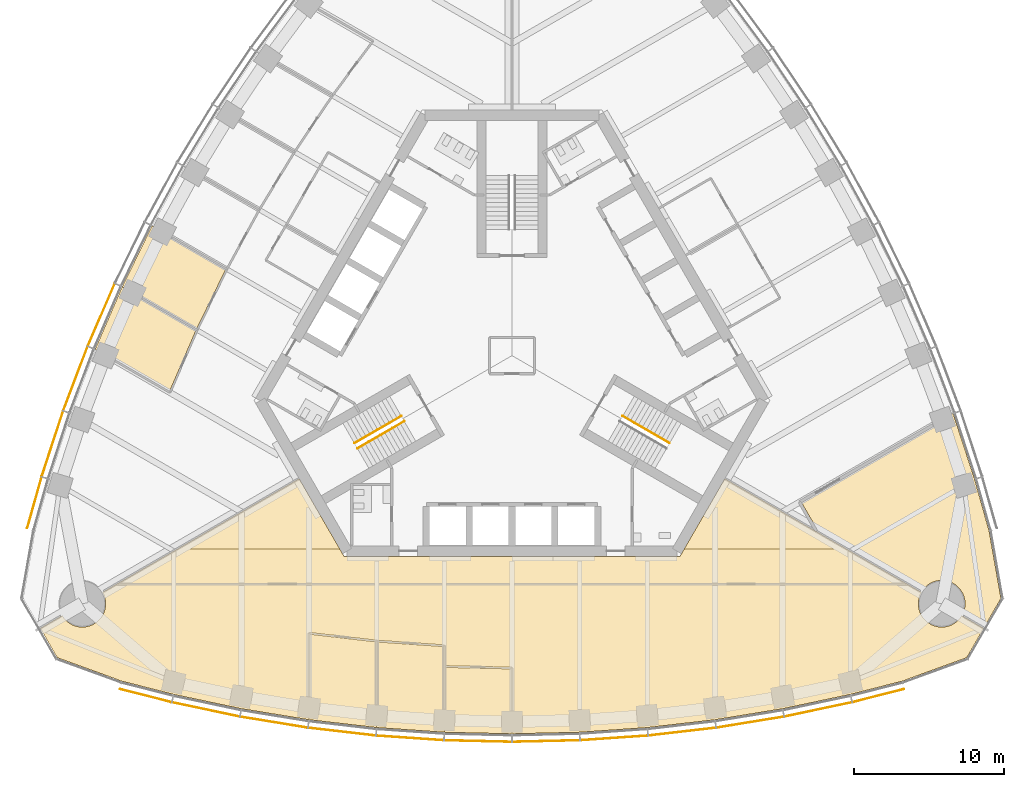
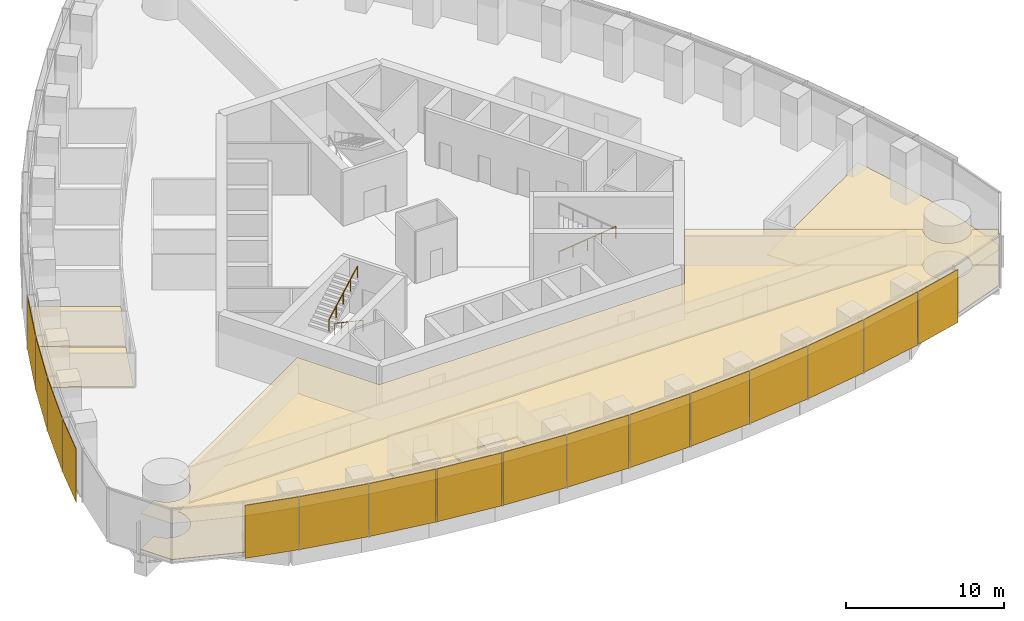
# One storey, part 15 of 19: 16 shading devices, 11 coverings, 3 railings.
"""IFC4 building model written with IfcOpenShell, lengths in metres."""

from ifc_helpers import new_model, si_unit, direction, frame, origin, origin_2d, place, context, subcontext, project, spatial, polyline, rectangle, circle, outline, extrude, material, layer, layer_set, type_object, element, save


model = new_model("IFC4")

# Units and contexts
model_context = context("Model", 3, precision=1e-05, world=origin(), true_north=direction((0.0, 1.0)))
body_context = subcontext(model_context, "Body", "Model", "MODEL_VIEW")
ifc_project = project(units=[si_unit("LENGTHUNIT", "METRE"), si_unit("AREAUNIT", "SQUARE_METRE"), si_unit("VOLUMEUNIT", "CUBIC_METRE"), si_unit("PLANEANGLEUNIT", "RADIAN"), si_unit("MASSUNIT", "GRAM", prefix="KILO")], contexts=[model_context])

# Site, building, storey
site_placement = place(None, origin())
site = spatial("IfcSite", under=ifc_project, at=site_placement, CompositionType="ELEMENT")
building_placement = place(site_placement, origin())
building = spatial("IfcBuilding", under=site, at=building_placement, Name="Trefoil Bronze Tower", CompositionType="ELEMENT")
storey_placement = place(building_placement, frame((0.0, 0.0, 248.5)))
storey = spatial("IfcBuildingStorey", under=building, at=storey_placement, Name="L57", CompositionType="ELEMENT", Elevation=248.5)

# Shading devices
ifc_material_1 = material(Name="Perforated bronze sheet", Category="bronze")
ifc_layer_1 = layer(ifc_material_1, 0.0400390625)
ifc_layer_set_1 = layer_set([ifc_layer_1], Name="Bronze solar screen panel")
shading_device_type = type_object("IfcShadingDeviceType", Name="Bronze solar screen panel", PredefinedType="SHUTTER", material=ifc_layer_set_1)
shading_device_1_placement = place(storey_placement, frame((-24.360107421875, -22.614501953125, 0.050048828125), z_axis=(0.0, 0.0, 1.0), x_axis=(0.968934035393, -0.247319297786, 0.0)))
element("IfcShadingDevice", 1, at=shading_device_1_placement, inside=storey, type_object=shading_device_type, Name="Solar screen CW-A L57 F1 bay 1", PredefinedType="SHUTTER", context=body_context, shape_type="SweptSolid", body=[
    extrude(rectangle(XDim=3.53369140625, YDim=0.0400390625, at=origin_2d()), origin(), (0.0, 0.0, 1.0), 4.10009765625),
])
shading_device_2_placement = place(storey_placement, frame((-20.361572265625, -23.535888671875, 0.050048828125), z_axis=(0.0, 0.0, 1.0), x_axis=(0.978394335897, -0.20674748725, 0.0)))
element("IfcShadingDevice", 2, at=shading_device_2_placement, inside=storey, type_object=shading_device_type, Name="Solar screen CW-A L57 F1 bay 2", PredefinedType="SHUTTER", context=body_context, shape_type="SweptSolid", body=[
    extrude(rectangle(XDim=4.5693359375, YDim=0.0400390625, at=origin_2d()), origin(), (0.0, 0.0, 1.0), 4.10009765625),
])
shading_device_3_placement = place(storey_placement, frame((-15.8369140625, -24.382568359375, 0.050048828125), z_axis=(0.0, 0.0, 1.0), x_axis=(0.986986549528, -0.160802832848, 0.0)))
element("IfcShadingDevice", 3, at=shading_device_3_placement, inside=storey, type_object=shading_device_type, Name="Solar screen CW-A L57 F1 bay 3", PredefinedType="SHUTTER", context=body_context, shape_type="SweptSolid", body=[
    extrude(rectangle(XDim=4.529296875, YDim=0.0400390625, at=origin_2d()), origin(), (0.0, 0.0, 1.0), 4.10009765625),
])
shading_device_4_placement = place(storey_placement, frame((-11.31201171875, -25.0126953125, 0.050048828125), z_axis=(0.0, 0.0, 1.0), x_axis=(0.993381831741, -0.114858767043, 0.0)))
element("IfcShadingDevice", 4, at=shading_device_4_placement, inside=storey, type_object=shading_device_type, Name="Solar screen CW-A L57 F1 bay 4", PredefinedType="SHUTTER", context=body_context, shape_type="SweptSolid", body=[
    extrude(rectangle(XDim=4.5, YDim=0.0400390625, at=origin_2d()), origin(), (0.0, 0.0, 1.0), 4.10009765625),
])
shading_device_5_placement = place(storey_placement, frame((-6.787109375, -25.430419921875, 0.050048828125), z_axis=(0.0, 0.0, 1.0), x_axis=(0.99762252804, -0.068915103905, 0.0)))
element("IfcShadingDevice", 5, at=shading_device_5_placement, inside=storey, type_object=shading_device_type, Name="Solar screen CW-A L57 F1 bay 5", PredefinedType="SHUTTER", context=body_context, shape_type="SweptSolid", body=[
    extrude(rectangle(XDim=4.480712890625, YDim=0.0400390625, at=origin_2d()), origin(), (0.0, 0.0, 1.0), 4.10009765625),
])
for number, where, z_axis, x_axis, name in (
    (6, (-2.262451171875, -25.638671875, 0.050048828125), (0.0, 0.0, 1.0), (0.999736116243, -0.022971675577, 0.0), "Solar screen CW-A L57 F1 bay 6"),
    (7, (2.262451171875, -25.638671875, 0.050048828125), (0.0, 0.0, 1.0), (0.999736116243, 0.022971675577, 0.0), "Solar screen CW-A L57 F1 bay 7"),
):
    element("IfcShadingDevice", number, at=place(storey_placement, frame(where, z_axis=z_axis, x_axis=x_axis)), inside=storey, type_object=shading_device_type, Name=name, PredefinedType="SHUTTER", context=body_context, shape_type="SweptSolid", body=[
        extrude(rectangle(XDim=4.47119140625, YDim=0.0400390625, at=origin_2d()), origin(), (0.0, 0.0, 1.0), 4.10009765625),
    ])
shading_device_6_placement = place(storey_placement, frame((6.787109375, -25.430419921875, 0.050048828125), z_axis=(0.0, 0.0, 1.0), x_axis=(0.99762252804, 0.068915103905, 0.0)))
element("IfcShadingDevice", 8, at=shading_device_6_placement, inside=storey, type_object=shading_device_type, Name="Solar screen CW-A L57 F1 bay 8", PredefinedType="SHUTTER", context=body_context, shape_type="SweptSolid", body=[
    extrude(rectangle(XDim=4.480712890625, YDim=0.0400390625, at=origin_2d()), origin(), (0.0, 0.0, 1.0), 4.10009765625),
])
shading_device_7_placement = place(storey_placement, frame((11.31201171875, -25.0126953125, 0.050048828125), z_axis=(0.0, 0.0, 1.0), x_axis=(0.993381831741, 0.114858767043, 0.0)))
element("IfcShadingDevice", 9, at=shading_device_7_placement, inside=storey, type_object=shading_device_type, Name="Solar screen CW-A L57 F1 bay 9", PredefinedType="SHUTTER", context=body_context, shape_type="SweptSolid", body=[
    extrude(rectangle(XDim=4.5, YDim=0.0400390625, at=origin_2d()), origin(), (0.0, 0.0, 1.0), 4.10009765625),
])
shading_device_8_placement = place(storey_placement, frame((15.8369140625, -24.382568359375, 0.050048828125), z_axis=(0.0, 0.0, 1.0), x_axis=(0.986986549528, 0.160802832848, 0.0)))
element("IfcShadingDevice", 10, at=shading_device_8_placement, inside=storey, type_object=shading_device_type, Name="Solar screen CW-A L57 F1 bay 10", PredefinedType="SHUTTER", context=body_context, shape_type="SweptSolid", body=[
    extrude(rectangle(XDim=4.529296875, YDim=0.0400390625, at=origin_2d()), origin(), (0.0, 0.0, 1.0), 4.10009765625),
])
shading_device_9_placement = place(storey_placement, frame((20.361572265625, -23.535888671875, 0.050048828125), z_axis=(0.0, 0.0, 1.0), x_axis=(0.978394335897, 0.20674748725, 0.0)))
element("IfcShadingDevice", 11, at=shading_device_9_placement, inside=storey, type_object=shading_device_type, Name="Solar screen CW-A L57 F1 bay 11", PredefinedType="SHUTTER", context=body_context, shape_type="SweptSolid", body=[
    extrude(rectangle(XDim=4.5693359375, YDim=0.0400390625, at=origin_2d()), origin(), (0.0, 0.0, 1.0), 4.10009765625),
])
shading_device_10_placement = place(storey_placement, frame((24.360107421875, -22.614501953125, 0.050048828125), z_axis=(0.0, 0.0, 1.0), x_axis=(0.968934035393, 0.247319297786, 0.0)))
element("IfcShadingDevice", 12, at=shading_device_10_placement, inside=storey, type_object=shading_device_type, Name="Solar screen CW-A L57 F1 bay 12", PredefinedType="SHUTTER", context=body_context, shape_type="SweptSolid", body=[
    extrude(rectangle(XDim=3.53369140625, YDim=0.0400390625, at=origin_2d()), origin(), (0.0, 0.0, 1.0), 4.10009765625),
])
shading_device_11_placement = place(storey_placement, frame((-27.317626953125, 2.709716796875, 0.050048828125), z_axis=(0.0, 0.0, 1.0), x_axis=(-0.397220305764, -0.917723285467, 0.0)))
element("IfcShadingDevice", 13, at=shading_device_11_placement, inside=storey, type_object=shading_device_type, Name="Solar screen CW-A L57 F3 bay 9", PredefinedType="SHUTTER", context=body_context, shape_type="SweptSolid", body=[
    extrude(rectangle(XDim=4.5, YDim=0.0400390625, at=origin_2d()), origin(), (0.0, 0.0, 1.0), 4.10009765625),
])
shading_device_12_placement = place(storey_placement, frame((-29.0341796875, -1.52392578125, 0.050048828125), z_axis=(0.0, 0.0, 1.0), x_axis=(-0.354233936517, -0.935156841508, 0.0)))
element("IfcShadingDevice", 14, at=shading_device_12_placement, inside=storey, type_object=shading_device_type, Name="Solar screen CW-A L57 F3 bay 10", PredefinedType="SHUTTER", context=body_context, shape_type="SweptSolid", body=[
    extrude(rectangle(XDim=4.529296875, YDim=0.0400390625, at=origin_2d()), origin(), (0.0, 0.0, 1.0), 4.10009765625),
])
shading_device_13_placement = place(storey_placement, frame((-30.5634765625, -5.86572265625, 0.050048828125), z_axis=(0.0, 0.0, 1.0), x_axis=(-0.310148591821, -0.950688093431, 0.0)))
element("IfcShadingDevice", 15, at=shading_device_13_placement, inside=storey, type_object=shading_device_type, Name="Solar screen CW-A L57 F3 bay 11", PredefinedType="SHUTTER", context=body_context, shape_type="SweptSolid", body=[
    extrude(rectangle(XDim=4.5693359375, YDim=0.0400390625, at=origin_2d()), origin(), (0.0, 0.0, 1.0), 4.10009765625),
])
shading_device_14_placement = place(storey_placement, frame((-31.764892578125, -9.7890625, 0.050048828125), z_axis=(0.0, 0.0, 1.0), x_axis=(-0.270282222968, -0.962781138134, 0.0)))
element("IfcShadingDevice", 16, at=shading_device_14_placement, inside=storey, type_object=shading_device_type, Name="Solar screen CW-A L57 F3 bay 12", PredefinedType="SHUTTER", context=body_context, shape_type="SweptSolid", body=[
    extrude(rectangle(XDim=3.53369140625, YDim=0.0400390625, at=origin_2d()), origin(), (0.0, 0.0, 1.0), 4.10009765625),
])

# Railings
ifc_material_2 = material(Name="Steel handrail", Category="steel")
railing_type = type_object("IfcRailingType", Name="Handrail 900", PredefinedType="HANDRAIL", material=ifc_material_2)
railing_1_placement = place(storey_placement, frame((7.365966796875, -4.021728515625, 0.16162109375)))
element("IfcRailing", 17, at=railing_1_placement, inside=storey, type_object=railing_type, Name="Handrail ST1 flight 1 L57", PredefinedType="HANDRAIL", context=body_context, shape_type="SweptSolid", body=[
    extrude(circle(Radius=0.02392578125, at=origin_2d()), frame((0.0, 0.0, 0.8759765625), z_axis=(0.76250339821, -0.440245697338, 0.474101564745), x_axis=(0.500012057535, 0.866018442252, 0.0)), (0.0, 0.0, 1.0), 4.088623046875),
    extrude(circle(Radius=0.02099609375, at=origin_2d()), origin(), (0.0, 0.0, 1.0), 0.851806640625),
    extrude(circle(Radius=0.02099609375, at=origin_2d()), frame((0.779296875, -0.449951171875, 0.484619140625)), (0.0, 0.0, 1.0), 0.851806640625),
    extrude(circle(Radius=0.02099609375, at=origin_2d()), frame((1.558837890625, -0.89990234375, 0.96923828125)), (0.0, 0.0, 1.0), 0.851806640625),
    extrude(circle(Radius=0.02099609375, at=origin_2d()), frame((2.33837890625, -1.35009765625, 1.453857421875)), (0.0, 0.0, 1.0), 0.851806640625),
    extrude(circle(Radius=0.02099609375, at=origin_2d()), frame((3.11767578125, -1.800048828125, 1.9384765625)), (0.0, 0.0, 1.0), 0.851806640625),
])
railing_2_placement = place(storey_placement, frame((-7.166015625, -4.3681640625, 0.16162109375)))
element("IfcRailing", 18, at=railing_2_placement, inside=storey, type_object=railing_type, Name="Handrail ST3 flight 1 L57", PredefinedType="HANDRAIL", context=body_context, shape_type="SweptSolid", body=[
    extrude(circle(Radius=0.02392578125, at=origin_2d()), frame((0.0, 0.0, 0.8759765625), z_axis=(-0.76250339821, -0.440245697338, 0.474101564745), x_axis=(0.500012057535, -0.866018442252, 0.0)), (0.0, 0.0, 1.0), 4.088623046875),
    extrude(circle(Radius=0.02099609375, at=origin_2d()), origin(), (0.0, 0.0, 1.0), 0.851806640625),
    extrude(circle(Radius=0.02099609375, at=origin_2d()), frame((-0.779296875, -0.449951171875, 0.484619140625)), (0.0, 0.0, 1.0), 0.851806640625),
    extrude(circle(Radius=0.02099609375, at=origin_2d()), frame((-1.558837890625, -0.89990234375, 0.96923828125)), (0.0, 0.0, 1.0), 0.851806640625),
    extrude(circle(Radius=0.02099609375, at=origin_2d()), frame((-2.33837890625, -1.35009765625, 1.453857421875)), (0.0, 0.0, 1.0), 0.851806640625),
    extrude(circle(Radius=0.02099609375, at=origin_2d()), frame((-3.11767578125, -1.800048828125, 1.9384765625)), (0.0, 0.0, 1.0), 0.851806640625),
])
railing_3_placement = place(storey_placement, frame((-10.483642578125, -5.82177734375, 2.261474609375)))
element("IfcRailing", 19, at=railing_3_placement, inside=storey, type_object=railing_type, Name="Handrail ST3 flight 2 L57", PredefinedType="HANDRAIL", context=body_context, shape_type="SweptSolid", body=[
    extrude(circle(Radius=0.02392578125, at=origin_2d()), frame((0.0, 0.0, 0.8759765625), z_axis=(0.76250339821, 0.440245697338, 0.474101564745), x_axis=(-0.500012057535, 0.866018442252, 0.0)), (0.0, 0.0, 1.0), 4.088623046875),
    extrude(circle(Radius=0.02099609375, at=origin_2d()), origin(), (0.0, 0.0, 1.0), 0.851806640625),
    extrude(circle(Radius=0.02099609375, at=origin_2d()), frame((0.779296875, 0.449951171875, 0.484619140625)), (0.0, 0.0, 1.0), 0.851806640625),
    extrude(circle(Radius=0.02099609375, at=origin_2d()), frame((1.558837890625, 0.89990234375, 0.96923828125)), (0.0, 0.0, 1.0), 0.851806640625),
    extrude(circle(Radius=0.02099609375, at=origin_2d()), frame((2.33837890625, 1.35009765625, 1.453857421875)), (0.0, 0.0, 1.0), 0.851806640625),
    extrude(circle(Radius=0.02099609375, at=origin_2d()), frame((3.11767578125, 1.800048828125, 1.9384765625)), (0.0, 0.0, 1.0), 0.851806640625),
])

# Coverings
ifc_material_3 = material(Name="Acoustic ceiling panels", Category="mineral fibre")
ifc_layer_2 = layer(ifc_material_3, 0.02001953125)
ifc_layer_set_2 = layer_set([ifc_layer_2], Name="Office ceiling 20")
covering_type_1 = type_object("IfcCoveringType", Name="Office ceiling 20", PredefinedType="CEILING", material=ifc_layer_set_2)
covering_1_placement = place(storey_placement, frame((0.0, 0.0, 2.89990234375)))
element("IfcCovering", 20, at=covering_1_placement, inside=storey, type_object=covering_type_1, Name="Ceiling L57 Open-plan office F1", PredefinedType="CEILING", context=body_context, shape_type="SweptSolid", body=[
    extrude(outline(polyline([(-29.86767578125, -17.361083984375), (-29.82373046875, -17.42333984375), (-29.777099609375, -17.4833984375), (-29.727294921875, -17.541015625), (-29.6748046875, -17.595947265625), (-29.619873046875, -17.6484375), (-29.56201171875, -17.6982421875), (-29.502197265625, -17.7451171875), (-29.43994140625, -17.788818359375), (-29.375732421875, -17.82958984375), (-29.3095703125, -17.866943359375), (-29.241455078125, -17.901123046875), (-29.172119140625, -17.931884765625), (-29.10107421875, -17.95947265625), (-29.02880859375, -17.9833984375), (-28.95556640625, -18.00341796875), (-28.881103515625, -18.020263671875), (-28.806396484375, -18.033203125), (-28.730712890625, -18.04248046875), (-28.65478515625, -18.048095703125), (-28.578857421875, -18.050048828125), (-28.502685546875, -18.048095703125), (-28.427001953125, -18.04248046875), (-28.351318359375, -18.033203125), (-28.2763671875, -18.020263671875), (-28.2021484375, -18.00341796875), (-28.12890625, -17.9833984375), (-28.056640625, -17.95947265625), (-27.985595703125, -17.931884765625), (-27.916015625, -17.901123046875), (-27.84814453125, -17.866943359375), (-27.781982421875, -17.82958984375), (-27.7177734375, -17.788818359375), (-27.655517578125, -17.7451171875), (-27.595458984375, -17.6982421875), (-27.537841796875, -17.6484375), (-27.48291015625, -17.595947265625), (-27.430419921875, -17.541015625), (-27.380615234375, -17.4833984375), (-27.333984375, -17.42333984375), (-27.2900390625, -17.361083984375), (-27.24951171875, -17.296875), (-27.2119140625, -17.230712890625), (-27.177734375, -17.16259765625), (-27.146728515625, -17.09326171875), (-27.119384765625, -17.022216796875), (-27.095703125, -16.949951171875), (-27.0751953125, -16.876708984375), (-27.05859375, -16.802490234375), (-27.045654296875, -16.727294921875), (-27.036376953125, -16.65185546875), (-27.03076171875, -16.576171875), (-27.02880859375, -16.5), (-27.03076171875, -16.423828125), (-27.036376953125, -16.34814453125), (-27.045654296875, -16.272705078125), (-27.05859375, -16.197509765625), (-27.0751953125, -16.123291015625), (-27.095703125, -16.050048828125), (-27.119384765625, -15.977783203125), (-27.146728515625, -15.90673828125), (-27.177734375, -15.83740234375), (-27.2119140625, -15.769287109375), (-27.23095703125, -15.735595703125), (-14.156494140625, -8.180419921875), (-11.171630859375, -13.35009765625), (11.171630859375, -13.35009765625), (14.156494140625, -8.180419921875), (27.23095703125, -15.735595703125), (27.2119140625, -15.769287109375), (27.177734375, -15.83740234375), (27.146728515625, -15.90673828125), (27.119384765625, -15.977783203125), (27.095703125, -16.050048828125), (27.0751953125, -16.123291015625), (27.05859375, -16.197509765625), (27.045654296875, -16.272705078125), (27.036376953125, -16.34814453125), (27.03076171875, -16.423828125), (27.02880859375, -16.5), (27.03076171875, -16.576171875), (27.036376953125, -16.65185546875), (27.045654296875, -16.727294921875), (27.05859375, -16.802490234375), (27.0751953125, -16.876708984375), (27.095703125, -16.949951171875), (27.119384765625, -17.022216796875), (27.146728515625, -17.09326171875), (27.177734375, -17.16259765625), (27.2119140625, -17.230712890625), (27.24951171875, -17.296875), (27.2900390625, -17.361083984375), (27.333984375, -17.42333984375), (27.380615234375, -17.4833984375), (27.430419921875, -17.541015625), (27.48291015625, -17.595947265625), (27.537841796875, -17.6484375), (27.595458984375, -17.6982421875), (27.655517578125, -17.7451171875), (27.7177734375, -17.788818359375), (27.781982421875, -17.82958984375), (27.84814453125, -17.866943359375), (27.916015625, -17.901123046875), (27.985595703125, -17.931884765625), (28.056640625, -17.95947265625), (28.12890625, -17.9833984375), (28.2021484375, -18.00341796875), (28.2763671875, -18.020263671875), (28.351318359375, -18.033203125), (28.427001953125, -18.04248046875), (28.502685546875, -18.048095703125), (28.578857421875, -18.050048828125), (28.65478515625, -18.048095703125), (28.730712890625, -18.04248046875), (28.806396484375, -18.033203125), (28.881103515625, -18.020263671875), (28.95556640625, -18.00341796875), (29.02880859375, -17.9833984375), (29.10107421875, -17.95947265625), (29.172119140625, -17.931884765625), (29.241455078125, -17.901123046875), (29.3095703125, -17.866943359375), (29.375732421875, -17.82958984375), (29.43994140625, -17.788818359375), (29.502197265625, -17.7451171875), (29.56201171875, -17.6982421875), (29.619873046875, -17.6484375), (29.6748046875, -17.595947265625), (29.727294921875, -17.541015625), (29.777099609375, -17.4833984375), (29.82373046875, -17.42333984375), (29.86767578125, -17.361083984375), (29.914306640625, -17.2861328125), (31.37158203125, -18.1279296875), (30.23828125, -20.0908203125), (25.952880859375, -21.650634765625), (22.5, -22.531982421875), (18.0, -23.48291015625), (13.5, -24.216064453125), (9.0, -24.736328125), (4.5, -25.047119140625), (0.0, -25.150634765625), (-4.5, -25.047119140625), (-9.0, -24.736328125), (-13.5, -24.216064453125), (-18.0, -23.48291015625), (-22.5, -22.531982421875), (-25.952880859375, -21.650634765625), (-30.23828125, -20.0908203125), (-31.37158203125, -18.1279296875), (-29.914306640625, -17.2861328125), (-29.86767578125, -17.361083984375)])), origin(), (0.0, 0.0, 1.0), 0.02001953125),
])
ifc_material_4 = material(Name="Raised access floor panels", Category="steel")
ifc_layer_3 = layer(ifc_material_4, 0.050048828125)
ifc_layer_set_3 = layer_set([ifc_layer_3], Name="Raised access floor 150")
covering_type_2 = type_object("IfcCoveringType", Name="Raised access floor 150", PredefinedType="FLOORING", material=ifc_layer_set_3)
covering_2_placement = place(storey_placement, frame((0.0, 0.0, 0.10009765625)))
element("IfcCovering", 21, at=covering_2_placement, inside=storey, type_object=covering_type_2, Name="Raised floor L57 Meeting room F1", PredefinedType="FLOORING", context=body_context, shape_type="SweptSolid", body=[
    extrude(outline(polyline([(-9.0, -24.736328125), (-13.5, -24.216064453125), (-13.5, -22.67138671875), (-13.43994140625, -22.67138671875), (-13.43994140625, -18.533447265625), (-9.06005859375, -19.039794921875), (-9.06005859375, -23.199951171875), (-9.0, -23.199951171875), (-9.0, -24.736328125)])), origin(), (0.0, 0.0, 1.0), 0.0498046875),
])
covering_3_placement = place(storey_placement, frame((0.0, 0.0, 0.10009765625)))
element("IfcCovering", 22, at=covering_3_placement, inside=storey, type_object=covering_type_2, Name="Raised floor L57 Meeting room F1", PredefinedType="FLOORING", context=body_context, shape_type="SweptSolid", body=[
    extrude(outline(polyline([(-4.5, -25.047119140625), (-9.0, -24.736328125), (-9.0, -23.199951171875), (-8.93994140625, -23.199951171875), (-8.93994140625, -19.05078125), (-4.56005859375, -19.353271484375), (-4.56005859375, -23.515625), (-4.5, -23.515625), (-4.5, -25.047119140625)])), origin(), (0.0, 0.0, 1.0), 0.0498046875),
])
covering_4_placement = place(storey_placement, frame((0.0, 0.0, 0.10009765625)))
element("IfcCovering", 23, at=covering_4_placement, inside=storey, type_object=covering_type_2, Name="Raised floor L57 Pantry F1", PredefinedType="FLOORING", context=body_context, shape_type="SweptSolid", body=[
    extrude(outline(polyline([(0.0, -25.150634765625), (-4.5, -25.047119140625), (-4.5, -23.515625), (-4.43994140625, -23.515625), (-4.43994140625, -20.738525390625), (-0.06005859375, -20.83935546875), (-0.06005859375, -23.62060546875), (0.0, -23.62060546875), (0.0, -25.150634765625)])), origin(), (0.0, 0.0, 1.0), 0.0498046875),
])
covering_5_placement = place(storey_placement, frame((0.0, 0.0, 0.10009765625)))
element("IfcCovering", 24, at=covering_5_placement, inside=storey, type_object=covering_type_2, Name="Raised floor L57 Corridor F1", PredefinedType="FLOORING", context=body_context, shape_type="SweptSolid", body=[
    extrude(outline(polyline([(-26.218017578125, -15.14990234375), (-22.237548828125, -12.85009765625), (-11.46044921875, -12.85009765625), (-11.171630859375, -13.35009765625), (11.171630859375, -13.35009765625), (11.46044921875, -12.85009765625), (22.237548828125, -12.85009765625), (26.218017578125, -15.14990234375), (-26.218017578125, -15.14990234375)])), origin(), (0.0, 0.0, 1.0), 0.0498046875),
])
covering_6_placement = place(storey_placement, frame((0.0, 0.0, 0.10009765625)))
element("IfcCovering", 25, at=covering_6_placement, inside=storey, type_object=covering_type_2, Name="Raised floor L57 Open-plan office F1", PredefinedType="FLOORING", context=body_context, shape_type="SweptSolid", body=[
    extrude(outline(polyline([(-27.23095703125, -15.735595703125), (-26.311767578125, -15.2041015625), (-26.311767578125, -15.27001953125), (26.311767578125, -15.27001953125), (26.311767578125, -15.2041015625), (27.23095703125, -15.735595703125), (27.2119140625, -15.769287109375), (27.177734375, -15.83740234375), (27.146728515625, -15.90673828125), (27.119384765625, -15.977783203125), (27.095703125, -16.050048828125), (27.0751953125, -16.123291015625), (27.05859375, -16.197509765625), (27.045654296875, -16.272705078125), (27.036376953125, -16.34814453125), (27.03076171875, -16.423828125), (27.02880859375, -16.5), (27.03076171875, -16.576171875), (27.036376953125, -16.65185546875), (27.045654296875, -16.727294921875), (27.05859375, -16.802490234375), (27.0751953125, -16.876708984375), (27.095703125, -16.949951171875), (27.119384765625, -17.022216796875), (27.146728515625, -17.09326171875), (27.177734375, -17.16259765625), (27.2119140625, -17.230712890625), (27.24951171875, -17.296875), (27.2900390625, -17.361083984375), (27.333984375, -17.42333984375), (27.380615234375, -17.4833984375), (27.430419921875, -17.541015625), (27.48291015625, -17.595947265625), (27.537841796875, -17.6484375), (27.595458984375, -17.6982421875), (27.655517578125, -17.7451171875), (27.7177734375, -17.788818359375), (27.781982421875, -17.82958984375), (27.84814453125, -17.866943359375), (27.916015625, -17.901123046875), (27.985595703125, -17.931884765625), (28.056640625, -17.95947265625), (28.12890625, -17.9833984375), (28.2021484375, -18.00341796875), (28.2763671875, -18.020263671875), (28.351318359375, -18.033203125), (28.427001953125, -18.04248046875), (28.502685546875, -18.048095703125), (28.578857421875, -18.050048828125), (28.65478515625, -18.048095703125), (28.730712890625, -18.04248046875), (28.806396484375, -18.033203125), (28.881103515625, -18.020263671875), (28.95556640625, -18.00341796875), (29.02880859375, -17.9833984375), (29.10107421875, -17.95947265625), (29.172119140625, -17.931884765625), (29.241455078125, -17.901123046875), (29.3095703125, -17.866943359375), (29.375732421875, -17.82958984375), (29.43994140625, -17.788818359375), (29.502197265625, -17.7451171875), (29.56201171875, -17.6982421875), (29.619873046875, -17.6484375), (29.6748046875, -17.595947265625), (29.727294921875, -17.541015625), (29.777099609375, -17.4833984375), (29.82373046875, -17.42333984375), (29.86767578125, -17.361083984375), (29.914306640625, -17.2861328125), (31.37158203125, -18.1279296875), (30.23828125, -20.0908203125), (25.952880859375, -21.650634765625), (22.5, -22.531982421875), (18.0, -23.48291015625), (13.5, -24.216064453125), (9.0, -24.736328125), (4.5, -25.047119140625), (0.0, -25.150634765625), (0.0, -23.62060546875), (0.06005859375, -23.62060546875), (0.06005859375, -20.780517578125), (0.0, -20.780517578125), (0.00146484375, -20.720703125), (-4.43994140625, -20.61865234375), (-4.43994140625, -19.297119140625), (-4.5, -19.297119140625), (-4.495849609375, -19.2373046875), (-8.994384765625, -18.926513671875), (-13.4931640625, -18.406494140625), (-13.5, -18.466064453125), (-13.56005859375, -18.466064453125), (-13.56005859375, -22.67138671875), (-13.5, -22.67138671875), (-13.5, -24.216064453125), (-18.0, -23.48291015625), (-22.5, -22.531982421875), (-25.952880859375, -21.650634765625), (-30.23828125, -20.0908203125), (-31.37158203125, -18.1279296875), (-29.914306640625, -17.2861328125), (-29.86767578125, -17.361083984375), (-29.82373046875, -17.42333984375), (-29.777099609375, -17.4833984375), (-29.727294921875, -17.541015625), (-29.6748046875, -17.595947265625), (-29.619873046875, -17.6484375), (-29.56201171875, -17.6982421875), (-29.502197265625, -17.7451171875), (-29.43994140625, -17.788818359375), (-29.375732421875, -17.82958984375), (-29.3095703125, -17.866943359375), (-29.241455078125, -17.901123046875), (-29.172119140625, -17.931884765625), (-29.10107421875, -17.95947265625), (-29.02880859375, -17.9833984375), (-28.95556640625, -18.00341796875), (-28.881103515625, -18.020263671875), (-28.806396484375, -18.033203125), (-28.730712890625, -18.04248046875), (-28.65478515625, -18.048095703125), (-28.578857421875, -18.050048828125), (-28.502685546875, -18.048095703125), (-28.427001953125, -18.04248046875), (-28.351318359375, -18.033203125), (-28.2763671875, -18.020263671875), (-28.2021484375, -18.00341796875), (-28.12890625, -17.9833984375), (-28.056640625, -17.95947265625), (-27.985595703125, -17.931884765625), (-27.916015625, -17.901123046875), (-27.84814453125, -17.866943359375), (-27.781982421875, -17.82958984375), (-27.7177734375, -17.788818359375), (-27.655517578125, -17.7451171875), (-27.595458984375, -17.6982421875), (-27.537841796875, -17.6484375), (-27.48291015625, -17.595947265625), (-27.430419921875, -17.541015625), (-27.380615234375, -17.4833984375), (-27.333984375, -17.42333984375), (-27.2900390625, -17.361083984375), (-27.24951171875, -17.296875), (-27.2119140625, -17.230712890625), (-27.177734375, -17.16259765625), (-27.146728515625, -17.09326171875), (-27.119384765625, -17.022216796875), (-27.095703125, -16.949951171875), (-27.0751953125, -16.876708984375), (-27.05859375, -16.802490234375), (-27.045654296875, -16.727294921875), (-27.036376953125, -16.65185546875), (-27.03076171875, -16.576171875), (-27.02880859375, -16.5), (-27.03076171875, -16.423828125), (-27.036376953125, -16.34814453125), (-27.045654296875, -16.272705078125), (-27.05859375, -16.197509765625), (-27.0751953125, -16.123291015625), (-27.095703125, -16.050048828125), (-27.119384765625, -15.977783203125), (-27.146728515625, -15.90673828125), (-27.177734375, -15.83740234375), (-27.2119140625, -15.769287109375), (-27.23095703125, -15.735595703125)])), origin(), (0.0, 0.0, 1.0), 0.0498046875),
])
covering_7_placement = place(storey_placement, frame((0.0, 0.0, 0.10009765625)))
element("IfcCovering", 26, at=covering_7_placement, inside=storey, type_object=covering_type_2, Name="Raised floor L57 Open-plan office F1", PredefinedType="FLOORING", context=body_context, shape_type="SweptSolid", body=[
    extrude(outline(polyline([(14.156494140625, -8.180419921875), (22.237548828125, -12.85009765625), (11.46044921875, -12.85009765625), (14.156494140625, -8.180419921875)])), origin(), (0.0, 0.0, 1.0), 0.0498046875),
])
covering_8_placement = place(storey_placement, frame((0.0, 0.0, 0.10009765625)))
element("IfcCovering", 27, at=covering_8_placement, inside=storey, type_object=covering_type_2, Name="Raised floor L57 Open-plan office F1", PredefinedType="FLOORING", context=body_context, shape_type="SweptSolid", body=[
    extrude(outline(polyline([(-22.237548828125, -12.85009765625), (-14.156494140625, -8.180419921875), (-11.46044921875, -12.85009765625), (-22.237548828125, -12.85009765625)])), origin(), (0.0, 0.0, 1.0), 0.0498046875),
])
covering_9_placement = place(storey_placement, frame((0.0, 0.0, 0.10009765625)))
element("IfcCovering", 28, at=covering_9_placement, inside=storey, type_object=covering_type_2, Name="Raised floor L57 Boardroom F2", PredefinedType="FLOORING", context=body_context, shape_type="SweptSolid", body=[
    extrude(outline(polyline([(27.24267578125, -15.71484375), (20.239013671875, -11.6748046875), (20.325439453125, -11.624755859375), (19.260498046875, -9.780029296875), (28.0390625, -4.7119140625), (27.989013671875, -4.625244140625), (29.3369140625, -3.846923828125), (30.76318359375, -8.219482421875), (31.7265625, -11.650634765625), (32.518310546875, -16.1416015625), (31.385009765625, -18.1044921875), (29.92724609375, -17.263427734375), (29.94580078125, -17.230712890625), (29.97998046875, -17.16259765625), (30.010986328125, -17.09326171875), (30.0380859375, -17.022216796875), (30.06201171875, -16.949951171875), (30.08251953125, -16.876708984375), (30.09912109375, -16.802490234375), (30.112060546875, -16.727294921875), (30.121337890625, -16.65185546875), (30.126953125, -16.576171875), (30.12890625, -16.5), (30.126953125, -16.423828125), (30.121337890625, -16.34814453125), (30.112060546875, -16.272705078125), (30.09912109375, -16.197509765625), (30.08251953125, -16.123291015625), (30.06201171875, -16.050048828125), (30.0380859375, -15.977783203125), (30.010986328125, -15.90673828125), (29.97998046875, -15.83740234375), (29.94580078125, -15.769287109375), (29.908203125, -15.703125), (29.86767578125, -15.638916015625), (29.82373046875, -15.57666015625), (29.777099609375, -15.5166015625), (29.727294921875, -15.458984375), (29.6748046875, -15.404052734375), (29.619873046875, -15.3515625), (29.56201171875, -15.3017578125), (29.502197265625, -15.2548828125), (29.43994140625, -15.211181640625), (29.375732421875, -15.17041015625), (29.3095703125, -15.133056640625), (29.241455078125, -15.098876953125), (29.172119140625, -15.068115234375), (29.10107421875, -15.04052734375), (29.02880859375, -15.0166015625), (28.95556640625, -14.99658203125), (28.881103515625, -14.979736328125), (28.806396484375, -14.966796875), (28.730712890625, -14.95751953125), (28.65478515625, -14.951904296875), (28.578857421875, -14.949951171875), (28.502685546875, -14.951904296875), (28.427001953125, -14.95751953125), (28.351318359375, -14.966796875), (28.2763671875, -14.979736328125), (28.2021484375, -14.99658203125), (28.12890625, -15.0166015625), (28.056640625, -15.04052734375), (27.985595703125, -15.068115234375), (27.916015625, -15.098876953125), (27.84814453125, -15.133056640625), (27.781982421875, -15.17041015625), (27.7177734375, -15.211181640625), (27.655517578125, -15.2548828125), (27.595458984375, -15.3017578125), (27.537841796875, -15.3515625), (27.48291015625, -15.404052734375), (27.430419921875, -15.458984375), (27.380615234375, -15.5166015625), (27.333984375, -15.57666015625), (27.2900390625, -15.638916015625), (27.24267578125, -15.71484375)])), origin(), (0.0, 0.0, 1.0), 0.0498046875),
])
covering_10_placement = place(storey_placement, frame((0.0, 0.0, 0.10009765625)))
element("IfcCovering", 29, at=covering_10_placement, inside=storey, type_object=covering_type_2, Name="Raised floor L57 Office F3", PredefinedType="FLOORING", context=body_context, shape_type="SweptSolid", body=[
    extrude(outline(polyline([(-25.92236328125, 4.573974609375), (-23.94140625, 8.62646484375), (-22.614990234375, 7.860595703125), (-22.64501953125, 7.80859375), (-19.040283203125, 5.7275390625), (-20.968505859375, 1.783203125), (-24.561767578125, 3.857666015625), (-24.591796875, 3.8056640625), (-25.92236328125, 4.573974609375)])), origin(), (0.0, 0.0, 1.0), 0.0498046875),
])
covering_11_placement = place(storey_placement, frame((0.0, 0.0, 0.10009765625)))
element("IfcCovering", 30, at=covering_11_placement, inside=storey, type_object=covering_type_2, Name="Raised floor L57 Office F3", PredefinedType="FLOORING", context=body_context, shape_type="SweptSolid", body=[
    extrude(outline(polyline([(-27.7216796875, 0.416748046875), (-25.92236328125, 4.573974609375), (-24.591796875, 3.8056640625), (-24.62158203125, 3.75390625), (-21.01904296875, 1.673583984375), (-22.7705078125, -2.372802734375), (-26.35400390625, -0.3037109375), (-26.384033203125, -0.355712890625), (-27.7216796875, 0.416748046875)])), origin(), (0.0, 0.0, 1.0), 0.0498046875),
])

save(model, "model.ifc")
